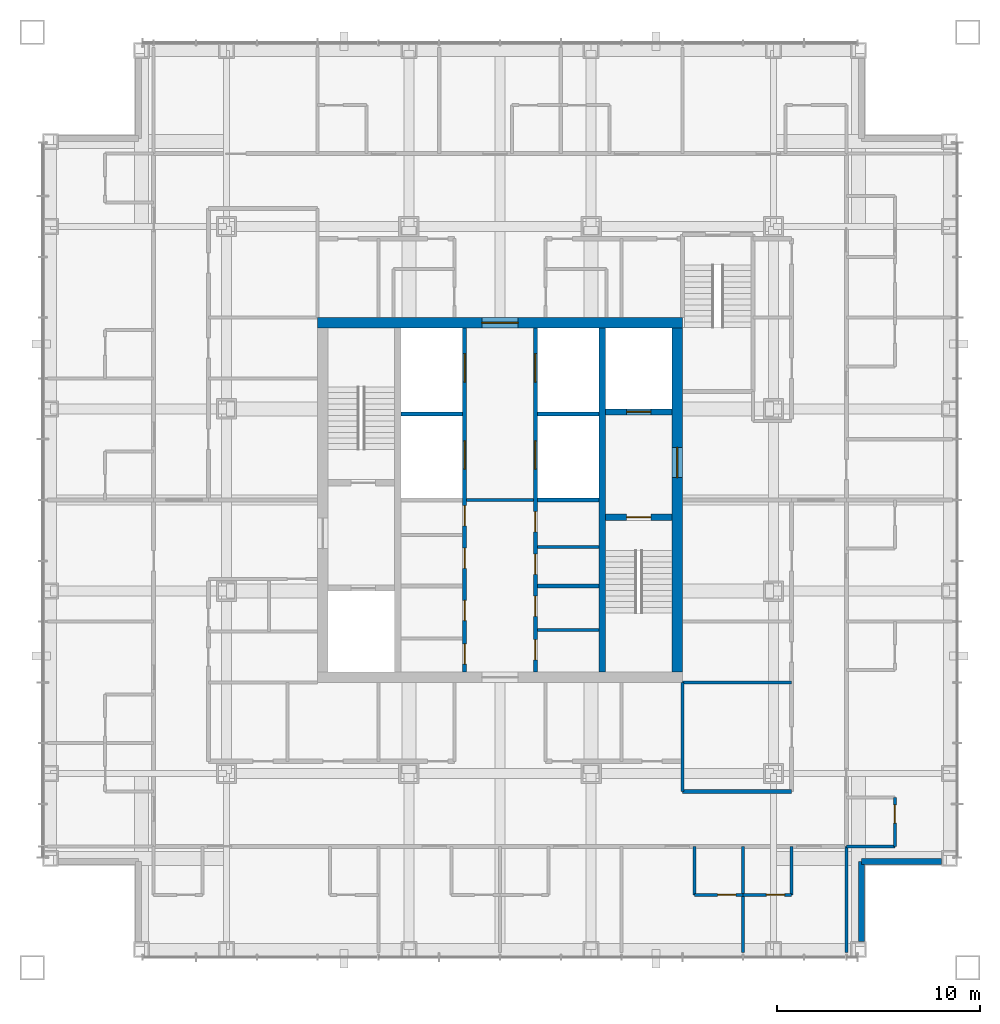
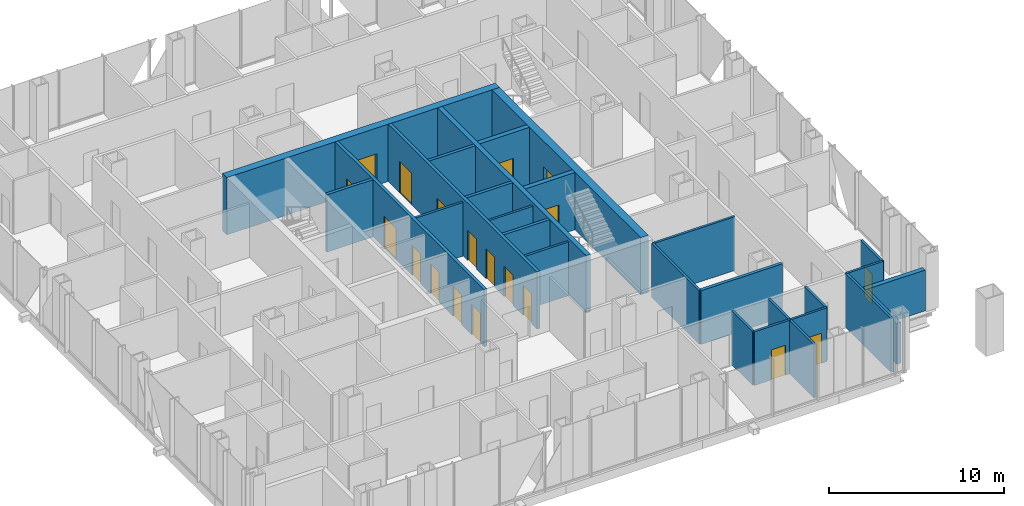
# One storey, part 14 of 20: 27 walls, 19 doors, 19 openings.
"""IFC4 building model written with IfcOpenShell, lengths in metres."""

from ifc_helpers import new_model, si_unit, direction, frame, frame_2d, origin, place, context, subcontext, project, spatial, rectangle, extrude, material, layer, layer_set, type_object, element, fill, save


model = new_model("IFC4")

# Units and contexts
model_context = context("Model", 3, precision=1e-05, world=origin(), true_north=direction((0.0, 1.0)))
body_context = subcontext(model_context, "Body", "Model", "MODEL_VIEW")
ifc_project = project(units=[si_unit("LENGTHUNIT", "METRE"), si_unit("AREAUNIT", "SQUARE_METRE"), si_unit("VOLUMEUNIT", "CUBIC_METRE"), si_unit("PLANEANGLEUNIT", "RADIAN"), si_unit("MASSUNIT", "GRAM", prefix="KILO")], contexts=[model_context])

# Site, building, storey
site_placement = place(None, origin())
site = spatial("IfcSite", under=ifc_project, at=site_placement, CompositionType="ELEMENT")
building_placement = place(site_placement, origin())
building = spatial("IfcBuilding", under=site, at=building_placement, Name="Malebo Sky Hospital", CompositionType="ELEMENT")
storey_placement = place(building_placement, frame((0.0, 0.0, 233.0)))
storey = spatial("IfcBuildingStorey", under=building, at=storey_placement, Name="L56", CompositionType="ELEMENT", Elevation=233.0)

# Wall, openings, doors
ifc_material_1 = material(Name="Concrete C80/95", Category="concrete")
ifc_layer_1 = layer(ifc_material_1, 0.199951171875)
ifc_layer_set_1 = layer_set([ifc_layer_1], Name="CORE INNER WALL 200")
wall_type_1 = type_object("IfcWallType", Name="CORE INNER WALL 200", PredefinedType="SHEAR", material=ifc_layer_set_1)
wall_1_placement = place(storey_placement, frame((58.25, 53.5, 0.0), z_axis=(0.0, 0.0, 1.0), x_axis=(0.0, 1.0, 0.0)))
wall_1 = element("IfcWall", 1, at=wall_1_placement, inside=storey, type_object=wall_type_1, Name="Core wall LW L56", PredefinedType="SHEAR", context=body_context, shape_type="SweptSolid", body=[
    extrude(rectangle(XDim=17.0, YDim=0.199951171875, at=frame_2d((8.5, 0.0))), origin(), (0.0, 0.0, 1.0), 4.0),
])
opening_1_placement = place(wall_1_placement, frame((0.392578125, 0.0, 0.0)))
opening_1 = element("IfcOpeningElement", 2, at=opening_1_placement, cuts=wall_1, Name="Opening D17", PredefinedType="OPENING", context=body_context, shape_type="SweptSolid", body=[
    extrude(rectangle(XDim=1.0, YDim=2.10009765625, at=frame_2d((0.5, 1.050048828125))), frame((0.0, 0.10986328125, 0.0), z_axis=(0.0, -1.0, 0.0), x_axis=(1.0, 0.0, 0.0)), (0.0, 0.0, 1.0), 0.219970703125),
])
opening_2_placement = place(wall_1_placement, frame((2.54248046875, 0.0, 0.0)))
opening_2 = element("IfcOpeningElement", 3, at=opening_2_placement, cuts=wall_1, Name="Opening D17", PredefinedType="OPENING", context=body_context, shape_type="SweptSolid", body=[
    extrude(rectangle(XDim=1.0, YDim=2.10009765625, at=frame_2d((0.5, 1.050048828125))), frame((0.0, 0.10986328125, 0.0), z_axis=(0.0, -1.0, 0.0), x_axis=(1.0, 0.0, 0.0)), (0.0, 0.0, 1.0), 0.219970703125),
])
opening_3_placement = place(wall_1_placement, frame((5.12744140625, 0.0, 0.0)))
opening_3 = element("IfcOpeningElement", 4, at=opening_3_placement, cuts=wall_1, Name="Opening D17", PredefinedType="OPENING", context=body_context, shape_type="SweptSolid", body=[
    extrude(rectangle(XDim=1.0, YDim=2.10009765625, at=frame_2d((0.5, 1.050048828125))), frame((0.0, 0.10986328125, 0.0), z_axis=(0.0, -1.0, 0.0), x_axis=(1.0, 0.0, 0.0)), (0.0, 0.0, 1.0), 0.219970703125),
])
opening_4_placement = place(wall_1_placement, frame((7.2275390625, 0.0, 0.0)))
opening_4 = element("IfcOpeningElement", 5, at=opening_4_placement, cuts=wall_1, Name="Opening D17", PredefinedType="OPENING", context=body_context, shape_type="SweptSolid", body=[
    extrude(rectangle(XDim=1.0, YDim=2.10009765625, at=frame_2d((0.5, 1.050048828125))), frame((0.0, 0.10986328125, 0.0), z_axis=(0.0, -1.0, 0.0), x_axis=(1.0, 0.0, 0.0)), (0.0, 0.0, 1.0), 0.219970703125),
])
opening_5_placement = place(wall_1_placement, frame((10.02490234375, 0.0, 0.0)))
opening_5 = element("IfcOpeningElement", 6, at=opening_5_placement, cuts=wall_1, Name="Opening LD1", PredefinedType="OPENING", context=body_context, shape_type="SweptSolid", body=[
    extrude(rectangle(XDim=1.39990234375, YDim=2.199951171875, at=frame_2d((0.699951171875, 1.10009765625))), frame((0.0, 0.10986328125, 0.0), z_axis=(0.0, -1.0, 0.0), x_axis=(1.0, 0.0, 0.0)), (0.0, 0.0, 1.0), 0.219970703125),
])
opening_6_placement = place(wall_1_placement, frame((14.324951171875, 0.0, 0.0)))
opening_6 = element("IfcOpeningElement", 7, at=opening_6_placement, cuts=wall_1, Name="Opening LD1", PredefinedType="OPENING", context=body_context, shape_type="SweptSolid", body=[
    extrude(rectangle(XDim=1.39990234375, YDim=2.199951171875, at=frame_2d((0.699951171875, 1.10009765625))), frame((0.0, 0.10986328125, 0.0), z_axis=(0.0, -1.0, 0.0), x_axis=(1.0, 0.0, 0.0)), (0.0, 0.0, 1.0), 0.219970703125),
])
ifc_material_2 = material(Name="Hardwood-faced door leaf in steel frame", Category="steel")
door_type_1 = type_object("IfcDoorType", Name="FIRE DOOR 1000", OperationType="SINGLE_SWING_LEFT", PredefinedType="DOOR", material=ifc_material_2)
door_1_placement = place(opening_1_placement, origin())
door_1 = element("IfcDoor", 8, at=door_1_placement, inside=storey, type_object=door_type_1, Name="General store door", OperationType="SINGLE_SWING_RIGHT", OverallHeight=2.10009765625, OverallWidth=1.0, PredefinedType="DOOR", context=body_context, shape_type="SweptSolid", body=[
    extrude(rectangle(XDim=1.0, YDim=2.10009765625, at=frame_2d((0.5, 1.050048828125))), frame((0.0, 0.02490234375, 0.0), z_axis=(0.0, -1.0, 0.0), x_axis=(1.0, 0.0, 0.0)), (0.0, 0.0, 1.0), 0.050048828125),
])
fill(opening_1, door_1)
door_2_placement = place(opening_2_placement, origin())
door_2 = element("IfcDoor", 9, at=door_2_placement, inside=storey, type_object=door_type_1, Name="Records store door", OperationType="SINGLE_SWING_RIGHT", OverallHeight=2.10009765625, OverallWidth=1.0, PredefinedType="DOOR", context=body_context, shape_type="SweptSolid", body=[
    extrude(rectangle(XDim=1.0, YDim=2.10009765625, at=frame_2d((0.5, 1.050048828125))), frame((0.0, 0.02490234375, 0.0), z_axis=(0.0, -1.0, 0.0), x_axis=(1.0, 0.0, 0.0)), (0.0, 0.0, 1.0), 0.050048828125),
])
fill(opening_2, door_2)
door_3_placement = place(opening_3_placement, origin())
door_3 = element("IfcDoor", 10, at=door_3_placement, inside=storey, type_object=door_type_1, Name="Equipment store door", OperationType="SINGLE_SWING_RIGHT", OverallHeight=2.10009765625, OverallWidth=1.0, PredefinedType="DOOR", context=body_context, shape_type="SweptSolid", body=[
    extrude(rectangle(XDim=1.0, YDim=2.10009765625, at=frame_2d((0.5, 1.050048828125))), frame((0.0, 0.02490234375, 0.0), z_axis=(0.0, -1.0, 0.0), x_axis=(1.0, 0.0, 0.0)), (0.0, 0.0, 1.0), 0.050048828125),
])
fill(opening_3, door_3)
door_4_placement = place(opening_4_placement, origin())
door_4 = element("IfcDoor", 11, at=door_4_placement, inside=storey, type_object=door_type_1, Name="Linen store door", OperationType="SINGLE_SWING_RIGHT", OverallHeight=2.10009765625, OverallWidth=1.0, PredefinedType="DOOR", context=body_context, shape_type="SweptSolid", body=[
    extrude(rectangle(XDim=1.0, YDim=2.10009765625, at=frame_2d((0.5, 1.050048828125))), frame((0.0, 0.02490234375, 0.0), z_axis=(0.0, -1.0, 0.0), x_axis=(1.0, 0.0, 0.0)), (0.0, 0.0, 1.0), 0.050048828125),
])
fill(opening_4, door_4)
ifc_material_3 = material(Name="Stainless steel sliding landing door", Category="steel")
door_type_2 = type_object("IfcDoorType", Name="LIFT LANDING DOOR 1400", OperationType="SLIDING_TO_LEFT", PredefinedType="DOOR", material=ifc_material_3)
door_5_placement = place(opening_5_placement, origin())
door_5 = element("IfcDoor", 12, at=door_5_placement, inside=storey, type_object=door_type_2, Name="Lift W3 landing door", OperationType="SLIDING_TO_LEFT", OverallHeight=2.199951171875, OverallWidth=1.39990234375, PredefinedType="DOOR", context=body_context, shape_type="SweptSolid", body=[
    extrude(rectangle(XDim=1.39990234375, YDim=2.199951171875, at=frame_2d((0.699951171875, 1.10009765625))), frame((0.0, 0.02490234375, 0.0), z_axis=(0.0, -1.0, 0.0), x_axis=(1.0, 0.0, 0.0)), (0.0, 0.0, 1.0), 0.050048828125),
])
fill(opening_5, door_5)
door_6_placement = place(opening_6_placement, origin())
door_6 = element("IfcDoor", 13, at=door_6_placement, inside=storey, type_object=door_type_2, Name="Lift W4 landing door", OperationType="SLIDING_TO_LEFT", OverallHeight=2.199951171875, OverallWidth=1.39990234375, PredefinedType="DOOR", context=body_context, shape_type="SweptSolid", body=[
    extrude(rectangle(XDim=1.39990234375, YDim=2.199951171875, at=frame_2d((0.699951171875, 1.10009765625))), frame((0.0, 0.02490234375, 0.0), z_axis=(0.0, -1.0, 0.0), x_axis=(1.0, 0.0, 0.0)), (0.0, 0.0, 1.0), 0.050048828125),
])
fill(opening_6, door_6)

wall_2_placement = place(storey_placement, frame((61.75, 53.5, 0.0), z_axis=(0.0, 0.0, 1.0), x_axis=(0.0, 1.0, 0.0)))
wall_2 = element("IfcWall", 14, at=wall_2_placement, inside=storey, type_object=wall_type_1, Name="Core wall LE L56", PredefinedType="SHEAR", context=body_context, shape_type="SweptSolid", body=[
    extrude(rectangle(XDim=17.0, YDim=0.199951171875, at=frame_2d((8.5, 0.0))), origin(), (0.0, 0.0, 1.0), 4.0),
])
opening_7_placement = place(wall_2_placement, frame((0.60009765625, 0.0, 0.0)))
opening_7 = element("IfcOpeningElement", 15, at=opening_7_placement, cuts=wall_2, Name="Opening D17", PredefinedType="OPENING", context=body_context, shape_type="SweptSolid", body=[
    extrude(rectangle(XDim=1.0, YDim=2.10009765625, at=frame_2d((0.5, 1.050048828125))), frame((0.0, 0.10986328125, 0.0), z_axis=(0.0, -1.0, 0.0), x_axis=(1.0, 0.0, 0.0)), (0.0, 0.0, 1.0), 0.219970703125),
])
opening_8_placement = place(wall_2_placement, frame((2.75, 0.0, 0.0)))
opening_8 = element("IfcOpeningElement", 16, at=opening_8_placement, cuts=wall_2, Name="Opening D17", PredefinedType="OPENING", context=body_context, shape_type="SweptSolid", body=[
    extrude(rectangle(XDim=1.0, YDim=2.10009765625, at=frame_2d((0.5, 1.050048828125))), frame((0.0, 0.10986328125, 0.0), z_axis=(0.0, -1.0, 0.0), x_axis=(1.0, 0.0, 0.0)), (0.0, 0.0, 1.0), 0.219970703125),
])
opening_9_placement = place(wall_2_placement, frame((4.823974609375, 0.0, 0.0)))
opening_9 = element("IfcOpeningElement", 17, at=opening_9_placement, cuts=wall_2, Name="Opening D17", PredefinedType="OPENING", context=body_context, shape_type="SweptSolid", body=[
    extrude(rectangle(XDim=1.0, YDim=2.10009765625, at=frame_2d((0.5, 1.050048828125))), frame((0.0, 0.10986328125, 0.0), z_axis=(0.0, -1.0, 0.0), x_axis=(1.0, 0.0, 0.0)), (0.0, 0.0, 1.0), 0.219970703125),
])
opening_10_placement = place(wall_2_placement, frame((6.924072265625, 0.0, 0.0)))
opening_10 = element("IfcOpeningElement", 18, at=opening_10_placement, cuts=wall_2, Name="Opening D17", PredefinedType="OPENING", context=body_context, shape_type="SweptSolid", body=[
    extrude(rectangle(XDim=1.0, YDim=2.10009765625, at=frame_2d((0.5, 1.050048828125))), frame((0.0, 0.10986328125, 0.0), z_axis=(0.0, -1.0, 0.0), x_axis=(1.0, 0.0, 0.0)), (0.0, 0.0, 1.0), 0.219970703125),
])
opening_11_placement = place(wall_2_placement, frame((10.02490234375, 0.0, 0.0)))
opening_11 = element("IfcOpeningElement", 19, at=opening_11_placement, cuts=wall_2, Name="Opening LD1", PredefinedType="OPENING", context=body_context, shape_type="SweptSolid", body=[
    extrude(rectangle(XDim=1.39990234375, YDim=2.199951171875, at=frame_2d((0.699951171875, 1.10009765625))), frame((0.0, 0.10986328125, 0.0), z_axis=(0.0, -1.0, 0.0), x_axis=(1.0, 0.0, 0.0)), (0.0, 0.0, 1.0), 0.219970703125),
])
opening_12_placement = place(wall_2_placement, frame((14.324951171875, 0.0, 0.0)))
opening_12 = element("IfcOpeningElement", 20, at=opening_12_placement, cuts=wall_2, Name="Opening LD1", PredefinedType="OPENING", context=body_context, shape_type="SweptSolid", body=[
    extrude(rectangle(XDim=1.39990234375, YDim=2.199951171875, at=frame_2d((0.699951171875, 1.10009765625))), frame((0.0, 0.10986328125, 0.0), z_axis=(0.0, -1.0, 0.0), x_axis=(1.0, 0.0, 0.0)), (0.0, 0.0, 1.0), 0.219970703125),
])
door_7_placement = place(opening_7_placement, origin())
door_7 = element("IfcDoor", 21, at=door_7_placement, inside=storey, type_object=door_type_1, Name="Supplies store door", OperationType="SINGLE_SWING_RIGHT", OverallHeight=2.10009765625, OverallWidth=1.0, PredefinedType="DOOR", context=body_context, shape_type="SweptSolid", body=[
    extrude(rectangle(XDim=1.0, YDim=2.10009765625, at=frame_2d((0.5, 1.050048828125))), frame((0.0, 0.02490234375, 0.0), z_axis=(0.0, -1.0, 0.0), x_axis=(1.0, 0.0, 0.0)), (0.0, 0.0, 1.0), 0.050048828125),
])
fill(opening_7, door_7)
door_8_placement = place(opening_8_placement, origin())
door_8 = element("IfcDoor", 22, at=door_8_placement, inside=storey, type_object=door_type_1, Name="Mattress store door", OperationType="SINGLE_SWING_RIGHT", OverallHeight=2.10009765625, OverallWidth=1.0, PredefinedType="DOOR", context=body_context, shape_type="SweptSolid", body=[
    extrude(rectangle(XDim=1.0, YDim=2.10009765625, at=frame_2d((0.5, 1.050048828125))), frame((0.0, 0.02490234375, 0.0), z_axis=(0.0, -1.0, 0.0), x_axis=(1.0, 0.0, 0.0)), (0.0, 0.0, 1.0), 0.050048828125),
])
fill(opening_8, door_8)
door_9_placement = place(opening_9_placement, origin())
door_9 = element("IfcDoor", 23, at=door_9_placement, inside=storey, type_object=door_type_1, Name="Cleaning equipment store door", OperationType="SINGLE_SWING_RIGHT", OverallHeight=2.10009765625, OverallWidth=1.0, PredefinedType="DOOR", context=body_context, shape_type="SweptSolid", body=[
    extrude(rectangle(XDim=1.0, YDim=2.10009765625, at=frame_2d((0.5, 1.050048828125))), frame((0.0, 0.02490234375, 0.0), z_axis=(0.0, -1.0, 0.0), x_axis=(1.0, 0.0, 0.0)), (0.0, 0.0, 1.0), 0.050048828125),
])
fill(opening_9, door_9)
door_10_placement = place(opening_10_placement, origin())
door_10 = element("IfcDoor", 24, at=door_10_placement, inside=storey, type_object=door_type_1, Name="Archive store door", OperationType="SINGLE_SWING_RIGHT", OverallHeight=2.10009765625, OverallWidth=1.0, PredefinedType="DOOR", context=body_context, shape_type="SweptSolid", body=[
    extrude(rectangle(XDim=1.0, YDim=2.10009765625, at=frame_2d((0.5, 1.050048828125))), frame((0.0, 0.02490234375, 0.0), z_axis=(0.0, -1.0, 0.0), x_axis=(1.0, 0.0, 0.0)), (0.0, 0.0, 1.0), 0.050048828125),
])
fill(opening_10, door_10)
door_11_placement = place(opening_11_placement, origin())
door_11 = element("IfcDoor", 25, at=door_11_placement, inside=storey, type_object=door_type_2, Name="Lift E3 landing door", OperationType="SLIDING_TO_LEFT", OverallHeight=2.199951171875, OverallWidth=1.39990234375, PredefinedType="DOOR", context=body_context, shape_type="SweptSolid", body=[
    extrude(rectangle(XDim=1.39990234375, YDim=2.199951171875, at=frame_2d((0.699951171875, 1.10009765625))), frame((0.0, 0.02490234375, 0.0), z_axis=(0.0, -1.0, 0.0), x_axis=(1.0, 0.0, 0.0)), (0.0, 0.0, 1.0), 0.050048828125),
])
fill(opening_11, door_11)
door_12_placement = place(opening_12_placement, origin())
door_12 = element("IfcDoor", 26, at=door_12_placement, inside=storey, type_object=door_type_2, Name="Lift E4 landing door", OperationType="SLIDING_TO_LEFT", OverallHeight=2.199951171875, OverallWidth=1.39990234375, PredefinedType="DOOR", context=body_context, shape_type="SweptSolid", body=[
    extrude(rectangle(XDim=1.39990234375, YDim=2.199951171875, at=frame_2d((0.699951171875, 1.10009765625))), frame((0.0, 0.02490234375, 0.0), z_axis=(0.0, -1.0, 0.0), x_axis=(1.0, 0.0, 0.0)), (0.0, 0.0, 1.0), 0.050048828125),
])
fill(opening_12, door_12)

# Walls
for number, where, z_axis, x_axis, name in (
    (27, (61.85009765625, 57.75, 0.0), (0.0, 0.0, 1.0), (1.0, 0.0, 0.0), "Core wall SE0 L56"),
    (28, (61.85009765625, 62.0, 0.0), (0.0, 0.0, 1.0), (1.0, 0.0, 0.0), "Core wall SE1 L56"),
    (29, (55.10009765625, 66.25, 0.0), (0.0, 0.0, 1.0), (1.0, 0.0, 0.0), "Core wall SW2 L56"),
    (30, (61.85009765625, 66.25, 0.0), (0.0, 0.0, 1.0), (1.0, 0.0, 0.0), "Core wall SE2 L56"),
):
    element("IfcWall", number, at=place(storey_placement, frame(where, z_axis=z_axis, x_axis=x_axis)), inside=storey, type_object=wall_type_1, Name=name, PredefinedType="SHEAR", context=body_context, shape_type="SweptSolid", body=[
        extrude(rectangle(XDim=3.0498046875, YDim=0.199951171875, at=frame_2d((1.52490234375, 0.0))), origin(), (0.0, 0.0, 1.0), 4.0),
    ])
ifc_layer_2 = layer(ifc_material_1, 0.300048828125)
ifc_layer_set_2 = layer_set([ifc_layer_2], Name="CORE INNER WALL 300")
wall_type_2 = type_object("IfcWallType", Name="CORE INNER WALL 300", PredefinedType="SHEAR", material=ifc_layer_set_2)
wall_3_placement = place(storey_placement, frame((65.050048828125, 53.5, 0.0), z_axis=(0.0, 0.0, 1.0), x_axis=(0.0, 1.0, 0.0)))
element("IfcWall", 31, at=wall_3_placement, inside=storey, type_object=wall_type_2, Name="Core wall XE L56", PredefinedType="SHEAR", context=body_context, shape_type="SweptSolid", body=[
    extrude(rectangle(XDim=17.0, YDim=0.300048828125, at=frame_2d((8.5, 0.0))), origin(), (0.0, 0.0, 1.0), 4.0),
])

# Wall, opening, door
wall_4_placement = place(storey_placement, frame((65.199951171875, 61.14990234375, 0.0), z_axis=(0.0, 0.0, 1.0), x_axis=(1.0, 0.0, 0.0)))
wall_4 = element("IfcWall", 32, at=wall_4_placement, inside=storey, type_object=wall_type_2, Name="Core wall E1 L56", PredefinedType="SHEAR", context=body_context, shape_type="SweptSolid", body=[
    extrude(rectangle(XDim=3.300048828125, YDim=0.300048828125, at=frame_2d((1.64990234375, 0.0))), origin(), (0.0, 0.0, 1.0), 4.0),
])
opening_13_placement = place(wall_4_placement, frame((1.050048828125, 0.0, 0.0)))
opening_13 = element("IfcOpeningElement", 33, at=opening_13_placement, cuts=wall_4, Name="Opening D08", PredefinedType="OPENING", context=body_context, shape_type="SweptSolid", body=[
    extrude(rectangle(XDim=1.199951171875, YDim=2.10009765625, at=frame_2d((0.60009765625, 1.050048828125))), frame((0.0, 0.159912109375, 0.0), z_axis=(0.0, -1.0, 0.0), x_axis=(1.0, 0.0, 0.0)), (0.0, 0.0, 1.0), 0.320068359375),
])
door_type_3 = type_object("IfcDoorType", Name="STAIR DOOR 1200", OperationType="SINGLE_SWING_LEFT", PredefinedType="DOOR", material=ifc_material_2)
door_13_placement = place(opening_13_placement, origin())
door_13 = element("IfcDoor", 34, at=door_13_placement, inside=storey, type_object=door_type_3, Name="Stair S2 door", OperationType="SINGLE_SWING_LEFT", OverallHeight=2.10009765625, OverallWidth=1.199951171875, PredefinedType="DOOR", context=body_context, shape_type="SweptSolid", body=[
    extrude(rectangle(XDim=1.199951171875, YDim=2.10009765625, at=frame_2d((0.60009765625, 1.050048828125))), frame((0.0, 0.02490234375, 0.0), z_axis=(0.0, -1.0, 0.0), x_axis=(1.0, 0.0, 0.0)), (0.0, 0.0, 1.0), 0.050048828125),
])
fill(opening_13, door_13)

wall_5_placement = place(storey_placement, frame((65.199951171875, 66.35009765625, 0.0), z_axis=(0.0, 0.0, 1.0), x_axis=(1.0, 0.0, 0.0)))
wall_5 = element("IfcWall", 35, at=wall_5_placement, inside=storey, type_object=wall_type_2, Name="Core wall E2 L56", PredefinedType="SHEAR", context=body_context, shape_type="SweptSolid", body=[
    extrude(rectangle(XDim=3.300048828125, YDim=0.300048828125, at=frame_2d((1.64990234375, 0.0))), origin(), (0.0, 0.0, 1.0), 4.0),
])
opening_14_placement = place(wall_5_placement, frame((1.050048828125, 0.0, 0.0)))
opening_14 = element("IfcOpeningElement", 36, at=opening_14_placement, cuts=wall_5, Name="Opening LD2", PredefinedType="OPENING", context=body_context, shape_type="SweptSolid", body=[
    extrude(rectangle(XDim=1.199951171875, YDim=2.199951171875, at=frame_2d((0.60009765625, 1.10009765625))), frame((0.0, 0.159912109375, 0.0), z_axis=(0.0, -1.0, 0.0), x_axis=(1.0, 0.0, 0.0)), (0.0, 0.0, 1.0), 0.320068359375),
])
door_type_4 = type_object("IfcDoorType", Name="FIRE-FIGHTING LIFT LANDING DOOR 1200", OperationType="SLIDING_TO_LEFT", PredefinedType="DOOR", material=ifc_material_3)
door_14_placement = place(opening_14_placement, origin())
door_14 = element("IfcDoor", 37, at=door_14_placement, inside=storey, type_object=door_type_4, Name="Lift FL2 landing door", OperationType="SLIDING_TO_LEFT", OverallHeight=2.199951171875, OverallWidth=1.199951171875, PredefinedType="DOOR", context=body_context, shape_type="SweptSolid", body=[
    extrude(rectangle(XDim=1.199951171875, YDim=2.199951171875, at=frame_2d((0.60009765625, 1.10009765625))), frame((0.0, 0.02490234375, 0.0), z_axis=(0.0, -1.0, 0.0), x_axis=(1.0, 0.0, 0.0)), (0.0, 0.0, 1.0), 0.050048828125),
])
fill(opening_14, door_14)

ifc_layer_3 = layer(ifc_material_1, 0.5)
ifc_layer_set_3 = layer_set([ifc_layer_3], Name="CORE WALL 500")
wall_type_3 = type_object("IfcWallType", Name="CORE WALL 500", PredefinedType="SHEAR", material=ifc_layer_set_3)
wall_6_placement = place(storey_placement, frame((51.0, 70.75, 0.0), z_axis=(0.0, 0.0, 1.0), x_axis=(1.0, 0.0, 0.0)))
wall_6 = element("IfcWall", 38, at=wall_6_placement, inside=storey, type_object=wall_type_3, Name="Core wall N L56", PredefinedType="SHEAR", context=body_context, shape_type="SweptSolid", body=[
    extrude(rectangle(XDim=18.0, YDim=0.5, at=frame_2d((9.0, 0.0))), origin(), (0.0, 0.0, 1.0), 4.0),
])
opening_15_placement = place(wall_6_placement, frame((8.10009765625, 0.0, 0.0)))
opening_15 = element("IfcOpeningElement", 39, at=opening_15_placement, cuts=wall_6, Name="Opening D06", PredefinedType="OPENING", context=body_context, shape_type="SweptSolid", body=[
    extrude(rectangle(XDim=1.800048828125, YDim=2.199951171875, at=frame_2d((0.89990234375, 1.10009765625))), frame((0.0, 0.260009765625, 0.0), z_axis=(0.0, -1.0, 0.0), x_axis=(1.0, 0.0, 0.0)), (0.0, 0.0, 1.0), 0.52001953125),
])
door_type_5 = type_object("IfcDoorType", Name="LOBBY DOOR PAIR 1800", OperationType="DOUBLE_DOOR_SINGLE_SWING", PredefinedType="DOOR", material=ifc_material_2)
door_15_placement = place(opening_15_placement, origin())
door_15 = element("IfcDoor", 40, at=door_15_placement, inside=storey, type_object=door_type_5, Name="Lift lobby door north", OperationType="DOUBLE_DOOR_SINGLE_SWING", OverallHeight=2.199951171875, OverallWidth=1.800048828125, PredefinedType="DOOR", context=body_context, shape_type="SweptSolid", body=[
    extrude(rectangle(XDim=1.800048828125, YDim=2.199951171875, at=frame_2d((0.89990234375, 1.10009765625))), frame((0.0, 0.02490234375, 0.0), z_axis=(0.0, -1.0, 0.0), x_axis=(1.0, 0.0, 0.0)), (0.0, 0.0, 1.0), 0.050048828125),
])
fill(opening_15, door_15)

wall_7_placement = place(storey_placement, frame((68.75, 53.5, 0.0), z_axis=(0.0, 0.0, 1.0), x_axis=(0.0, 1.0, 0.0)))
wall_7 = element("IfcWall", 41, at=wall_7_placement, inside=storey, type_object=wall_type_3, Name="Core wall E L56", PredefinedType="SHEAR", context=body_context, shape_type="SweptSolid", body=[
    extrude(rectangle(XDim=17.0, YDim=0.5, at=frame_2d((8.5, 0.0))), origin(), (0.0, 0.0, 1.0), 4.0),
])
opening_16_placement = place(wall_7_placement, frame((9.60009765625, 0.0, 0.0)))
opening_16 = element("IfcOpeningElement", 42, at=opening_16_placement, cuts=wall_7, Name="Opening D07", PredefinedType="OPENING", context=body_context, shape_type="SweptSolid", body=[
    extrude(rectangle(XDim=1.5, YDim=2.199951171875, at=frame_2d((0.75, 1.10009765625))), frame((0.0, 0.260009765625, 0.0), z_axis=(0.0, -1.0, 0.0), x_axis=(1.0, 0.0, 0.0)), (0.0, 0.0, 1.0), 0.52001953125),
])
door_type_6 = type_object("IfcDoorType", Name="FIRE-FIGHTING LOBBY DOOR PAIR 1500", OperationType="DOUBLE_DOOR_SINGLE_SWING", PredefinedType="DOOR", material=ifc_material_2)
door_16_placement = place(opening_16_placement, origin())
door_16 = element("IfcDoor", 43, at=door_16_placement, inside=storey, type_object=door_type_6, Name="Fire-fighting lobby door east", OperationType="DOUBLE_DOOR_SINGLE_SWING", OverallHeight=2.199951171875, OverallWidth=1.5, PredefinedType="DOOR", context=body_context, shape_type="SweptSolid", body=[
    extrude(rectangle(XDim=1.5, YDim=2.199951171875, at=frame_2d((0.75, 1.10009765625))), frame((0.0, 0.02490234375, 0.0), z_axis=(0.0, -1.0, 0.0), x_axis=(1.0, 0.0, 0.0)), (0.0, 0.0, 1.0), 0.050048828125),
])
fill(opening_16, door_16)

# Walls
ifc_material_4 = material(Name="Gypsum board on steel studs", Category="steel")
ifc_layer_4 = layer(ifc_material_4, 0.199951171875)
ifc_layer_set_4 = layer_set([ifc_layer_4], Name="CORRIDOR WALL 200")
wall_type_4 = type_object("IfcWallType", Name="CORRIDOR WALL 200", PredefinedType="PARTITIONING", material=ifc_layer_set_4)
wall_8_placement = place(storey_placement, frame((74.39990234375, 47.60009765625, 0.0), z_axis=(0.0, 0.0, 1.0), x_axis=(-1.0, 0.0, 0.0)))
element("IfcWall", 44, at=wall_8_placement, inside=storey, type_object=wall_type_4, Name="Corridor Wall 200 SCIK", PredefinedType="PARTITIONING", context=body_context, shape_type="SweptSolid", body=[
    extrude(rectangle(XDim=5.39990234375, YDim=0.199951171875, at=frame_2d((2.699951171875, 0.0))), origin(), (0.0, 0.0, 1.0), 3.75),
])
ifc_material_5 = material(Name="Anodised aluminium rainscreen on steel framing", Category="steel")
ifc_layer_5 = layer(ifc_material_5, 0.300048828125)
ifc_layer_set_5 = layer_set([ifc_layer_5], Name="NOTCH RAINSCREEN WALL 300")
wall_type_5 = type_object("IfcWallType", Name="NOTCH RAINSCREEN WALL 300", PredefinedType="ELEMENTEDWALL", material=ifc_layer_set_5)
for number, where, z_axis, x_axis, name in (
    (45, (81.800048828125, 44.14990234375, 0.0), (0.0, 0.0, 1.0), (-1.0, 0.0, 0.0), "Notch rainscreen wall E1 L56"),
    (46, (77.85009765625, 44.14990234375, 0.0), (0.0, 0.0, 1.0), (0.0, -1.0, 0.0), "Notch rainscreen wall E2 L56"),
):
    element("IfcWall", number, at=place(storey_placement, frame(where, z_axis=z_axis, x_axis=x_axis)), inside=storey, type_object=wall_type_5, Name=name, PredefinedType="ELEMENTEDWALL", context=body_context, shape_type="SweptSolid", body=[
        extrude(rectangle(XDim=3.949951171875, YDim=0.300048828125, at=frame_2d((1.97509765625, 0.0))), origin(), (0.0, 0.0, 1.0), 2.85009765625),
    ])
ifc_layer_6 = layer(ifc_material_4, 0.14990234375)
ifc_layer_set_6 = layer_set([ifc_layer_6], Name="PARTITION 150")
wall_type_6 = type_object("IfcWallType", Name="PARTITION 150", PredefinedType="PARTITIONING", material=ifc_layer_set_6)
for number, where, z_axis, x_axis, name in (
    (47, (72.0, 44.89990234375, 0.0), (0.0, 0.0, 1.0), (0.0, -1.0, 0.0), "Partition 150 SP-12.0"),
    (48, (77.10009765625, 44.89990234375, 0.0), (0.0, 0.0, 1.0), (0.0, -1.0, 0.0), "Partition 150 SP0"),
):
    element("IfcWall", number, at=place(storey_placement, frame(where, z_axis=z_axis, x_axis=x_axis)), inside=storey, type_object=wall_type_6, Name=name, PredefinedType="PARTITIONING", context=body_context, shape_type="SweptSolid", body=[
        extrude(rectangle(XDim=5.25, YDim=0.14990234375, at=frame_2d((2.625, 0.0))), origin(), (0.0, 0.0, 1.0), 3.75),
    ])

# Wall, opening, door
wall_9_placement = place(storey_placement, frame((74.39990234375, 42.5, 0.0), z_axis=(0.0, 0.0, 1.0), x_axis=(-1.0, 0.0, 0.0)))
wall_9 = element("IfcWall", 49, at=wall_9_placement, inside=storey, type_object=wall_type_6, Name="Partition 150 SE0F", PredefinedType="PARTITIONING", context=body_context, shape_type="SweptSolid", body=[
    extrude(rectangle(XDim=2.39990234375, YDim=0.14990234375, at=frame_2d((1.199951171875, 0.0))), origin(), (0.0, 0.0, 1.0), 3.75),
])
opening_17_placement = place(wall_9_placement, frame((0.35009765625, 0.0, 0.0)))
opening_17 = element("IfcOpeningElement", 50, at=opening_17_placement, cuts=wall_9, Name="Opening D02", PredefinedType="OPENING", context=body_context, shape_type="SweptSolid", body=[
    extrude(rectangle(XDim=0.89990234375, YDim=2.10009765625, at=frame_2d((0.449951171875, 1.050048828125))), frame((0.0, 0.0849609375, 0.0), z_axis=(0.0, -1.0, 0.0), x_axis=(1.0, 0.0, 0.0)), (0.0, 0.0, 1.0), 0.169921875),
])
door_type_7 = type_object("IfcDoorType", Name="EN-SUITE DOOR 900", OperationType="SINGLE_SWING_LEFT", PredefinedType="DOOR", material=ifc_material_2)
door_17_placement = place(opening_17_placement, origin())
door_17 = element("IfcDoor", 51, at=door_17_placement, inside=storey, type_object=door_type_7, Name="En-suite door", OperationType="SINGLE_SWING_LEFT", OverallHeight=2.10009765625, OverallWidth=0.89990234375, PredefinedType="DOOR", context=body_context, shape_type="SweptSolid", body=[
    extrude(rectangle(XDim=0.89990234375, YDim=2.10009765625, at=frame_2d((0.449951171875, 1.050048828125))), frame((0.0, 0.02490234375, 0.0), z_axis=(0.0, -1.0, 0.0), x_axis=(1.0, 0.0, 0.0)), (0.0, 0.0, 1.0), 0.050048828125),
])
fill(opening_17, door_17)

# Wall
wall_10_placement = place(storey_placement, frame((74.39990234375, 44.89990234375, 0.0), z_axis=(0.0, 0.0, 1.0), x_axis=(0.0, -1.0, 0.0)))
element("IfcWall", 52, at=wall_10_placement, inside=storey, type_object=wall_type_6, Name="Partition 150 SE0S", PredefinedType="PARTITIONING", context=body_context, shape_type="SweptSolid", body=[
    extrude(rectangle(XDim=2.39990234375, YDim=0.14990234375, at=frame_2d((1.199951171875, 0.0))), origin(), (0.0, 0.0, 1.0), 3.75),
])

# Wall, opening, door
wall_11_placement = place(storey_placement, frame((72.0, 42.5, 0.0), z_axis=(0.0, 0.0, 1.0), x_axis=(-1.0, 0.0, 0.0)))
wall_11 = element("IfcWall", 53, at=wall_11_placement, inside=storey, type_object=wall_type_6, Name="Partition 150 SE1F", PredefinedType="PARTITIONING", context=body_context, shape_type="SweptSolid", body=[
    extrude(rectangle(XDim=2.39990234375, YDim=0.14990234375, at=frame_2d((1.199951171875, 0.0))), origin(), (0.0, 0.0, 1.0), 3.75),
])
opening_18_placement = place(wall_11_placement, frame((0.35009765625, 0.0, 0.0)))
opening_18 = element("IfcOpeningElement", 54, at=opening_18_placement, cuts=wall_11, Name="Opening D02", PredefinedType="OPENING", context=body_context, shape_type="SweptSolid", body=[
    extrude(rectangle(XDim=0.89990234375, YDim=2.10009765625, at=frame_2d((0.449951171875, 1.050048828125))), frame((0.0, 0.0849609375, 0.0), z_axis=(0.0, -1.0, 0.0), x_axis=(1.0, 0.0, 0.0)), (0.0, 0.0, 1.0), 0.169921875),
])
door_18_placement = place(opening_18_placement, origin())
door_18 = element("IfcDoor", 55, at=door_18_placement, inside=storey, type_object=door_type_7, Name="En-suite door", OperationType="SINGLE_SWING_LEFT", OverallHeight=2.10009765625, OverallWidth=0.89990234375, PredefinedType="DOOR", context=body_context, shape_type="SweptSolid", body=[
    extrude(rectangle(XDim=0.89990234375, YDim=2.10009765625, at=frame_2d((0.449951171875, 1.050048828125))), frame((0.0, 0.02490234375, 0.0), z_axis=(0.0, -1.0, 0.0), x_axis=(1.0, 0.0, 0.0)), (0.0, 0.0, 1.0), 0.050048828125),
])
fill(opening_18, door_18)

# Walls
wall_12_placement = place(storey_placement, frame((69.60009765625, 44.89990234375, 0.0), z_axis=(0.0, 0.0, 1.0), x_axis=(0.0, -1.0, 0.0)))
element("IfcWall", 56, at=wall_12_placement, inside=storey, type_object=wall_type_6, Name="Partition 150 SE1S", PredefinedType="PARTITIONING", context=body_context, shape_type="SweptSolid", body=[
    extrude(rectangle(XDim=2.39990234375, YDim=0.14990234375, at=frame_2d((1.199951171875, 0.0))), origin(), (0.0, 0.0, 1.0), 3.75),
])
wall_13_placement = place(storey_placement, frame((69.0, 53.0, 0.0), z_axis=(0.0, 0.0, 1.0), x_axis=(0.0, -1.0, 0.0)))
element("IfcWall", 57, at=wall_13_placement, inside=storey, type_object=wall_type_6, Name="Partition 150 SSP0", PredefinedType="PARTITIONING", context=body_context, shape_type="SweptSolid", body=[
    extrude(rectangle(XDim=5.39990234375, YDim=0.14990234375, at=frame_2d((2.699951171875, 0.0))), origin(), (0.0, 0.0, 1.0), 3.75),
])

# Wall, opening, door
wall_14_placement = place(storey_placement, frame((79.5, 47.300048828125, 0.0), z_axis=(0.0, 0.0, 1.0), x_axis=(0.0, -1.0, 0.0)))
wall_14 = element("IfcWall", 58, at=wall_14_placement, inside=storey, type_object=wall_type_6, Name="Partition 150 EE4F", PredefinedType="PARTITIONING", context=body_context, shape_type="SweptSolid", body=[
    extrude(rectangle(XDim=2.400146484375, YDim=0.14990234375, at=frame_2d((1.2001953125, 0.0))), origin(), (0.0, 0.0, 1.0), 3.75),
])
opening_19_placement = place(wall_14_placement, frame((0.35009765625, 0.0, 0.0)))
opening_19 = element("IfcOpeningElement", 59, at=opening_19_placement, cuts=wall_14, Name="Opening D02", PredefinedType="OPENING", context=body_context, shape_type="SweptSolid", body=[
    extrude(rectangle(XDim=0.89990234375, YDim=2.10009765625, at=frame_2d((0.449951171875, 1.050048828125))), frame((0.0, 0.0849609375, 0.0), z_axis=(0.0, -1.0, 0.0), x_axis=(1.0, 0.0, 0.0)), (0.0, 0.0, 1.0), 0.169921875),
])
door_19_placement = place(opening_19_placement, origin())
door_19 = element("IfcDoor", 60, at=door_19_placement, inside=storey, type_object=door_type_7, Name="En-suite door", OperationType="SINGLE_SWING_LEFT", OverallHeight=2.10009765625, OverallWidth=0.89990234375, PredefinedType="DOOR", context=body_context, shape_type="SweptSolid", body=[
    extrude(rectangle(XDim=0.89990234375, YDim=2.10009765625, at=frame_2d((0.449951171875, 1.050048828125))), frame((0.0, 0.02490234375, 0.0), z_axis=(0.0, -1.0, 0.0), x_axis=(1.0, 0.0, 0.0)), (0.0, 0.0, 1.0), 0.050048828125),
])
fill(opening_19, door_19)

# Walls
wall_15_placement = place(storey_placement, frame((77.10009765625, 44.89990234375, 0.0), z_axis=(0.0, 0.0, 1.0), x_axis=(1.0, 0.0, 0.0)))
element("IfcWall", 61, at=wall_15_placement, inside=storey, type_object=wall_type_6, Name="Partition 150 EEZ", PredefinedType="PARTITIONING", context=body_context, shape_type="SweptSolid", body=[
    extrude(rectangle(XDim=2.39990234375, YDim=0.14990234375, at=frame_2d((1.199951171875, 0.0))), origin(), (0.0, 0.0, 1.0), 3.75),
])
wall_16_placement = place(storey_placement, frame((69.0, 53.0, 0.0), z_axis=(0.0, 0.0, 1.0), x_axis=(1.0, 0.0, 0.0)))
element("IfcWall", 62, at=wall_16_placement, inside=storey, type_object=wall_type_6, Name="Partition 150 ESP+9.0", PredefinedType="PARTITIONING", context=body_context, shape_type="SweptSolid", body=[
    extrude(rectangle(XDim=5.39990234375, YDim=0.14990234375, at=frame_2d((2.699951171875, 0.0))), origin(), (0.0, 0.0, 1.0), 3.75),
])
for number, where, z_axis, x_axis, name in (
    (63, (61.85009765625, 55.574951171875, 0.0), (0.0, 0.0, 1.0), (1.0, 0.0, 0.0), "Partition 150 SHE1"),
    (64, (61.85009765625, 59.673095703125, 0.0), (0.0, 0.0, 1.0), (1.0, 0.0, 0.0), "Partition 150 SHE2"),
):
    element("IfcWall", number, at=place(storey_placement, frame(where, z_axis=z_axis, x_axis=x_axis)), inside=storey, type_object=wall_type_6, Name=name, PredefinedType="PARTITIONING", context=body_context, shape_type="SweptSolid", body=[
        extrude(rectangle(XDim=3.0498046875, YDim=0.14990234375, at=frame_2d((1.52490234375, 0.0))), origin(), (0.0, 0.0, 1.0), 3.75),
    ])
wall_17_placement = place(storey_placement, frame((58.35009765625, 62.0, 0.0), z_axis=(0.0, 0.0, 1.0), x_axis=(1.0, 0.0, 0.0)))
element("IfcWall", 65, at=wall_17_placement, inside=storey, type_object=wall_type_6, Name="Partition 150 LBS", PredefinedType="PARTITIONING", context=body_context, shape_type="SweptSolid", body=[
    extrude(rectangle(XDim=3.2998046875, YDim=0.14990234375, at=frame_2d((1.64990234375, 0.0))), origin(), (0.0, 0.0, 1.0), 3.75),
])

save(model, "model.ifc")
